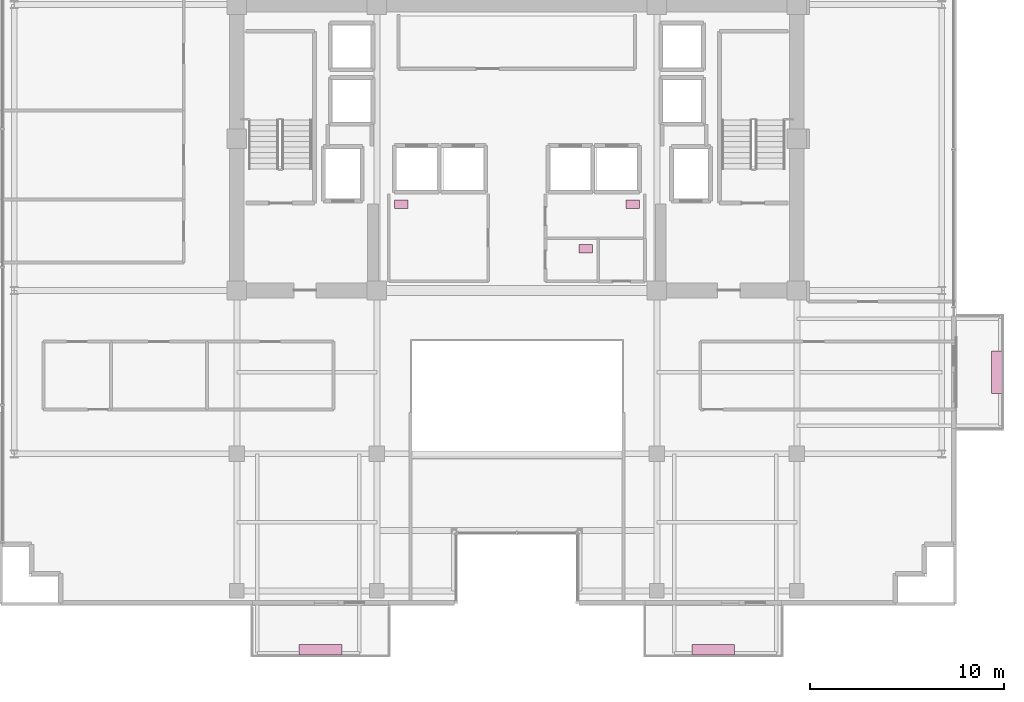
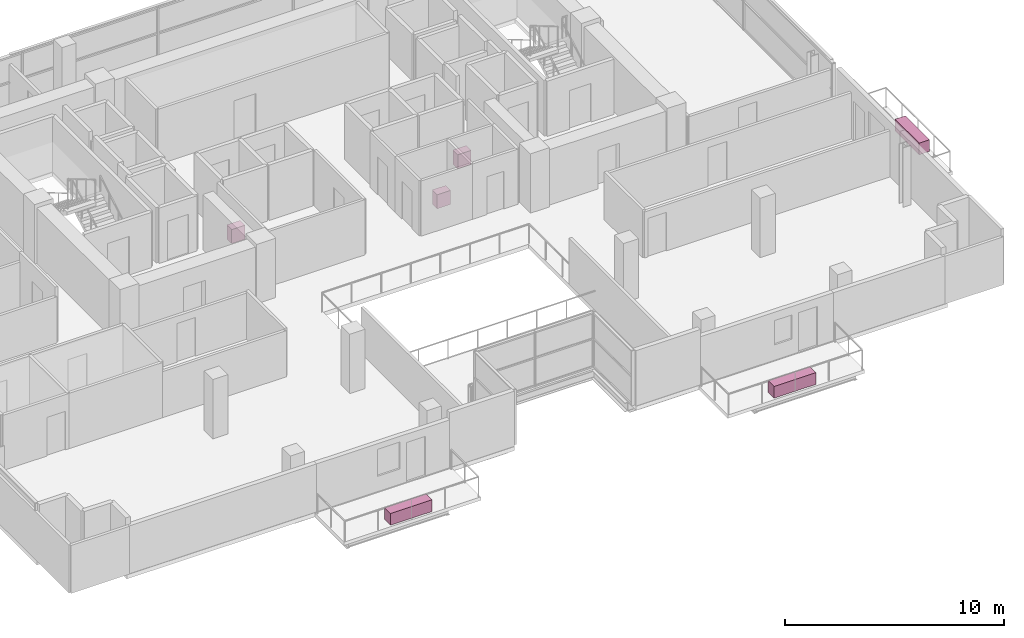
# One storey, part 25 of 25: 6 furnishings.
"""IFC4 building model written with IfcOpenShell, lengths in metres."""

from ifc_helpers import new_model, si_unit, direction, frame, origin, origin_2d, place, context, subcontext, project, spatial, rectangle, extrude, source, transform, mapped, material, type_object, element, save


model = new_model("IFC4")

# Units and contexts
model_context = context("Model", 3, precision=1e-05, world=origin(), true_north=direction((0.0, 1.0)))
body_context = subcontext(model_context, "Body", "Model", "MODEL_VIEW")
ifc_project = project(units=[si_unit("LENGTHUNIT", "METRE"), si_unit("AREAUNIT", "SQUARE_METRE"), si_unit("VOLUMEUNIT", "CUBIC_METRE"), si_unit("PLANEANGLEUNIT", "RADIAN"), si_unit("MASSUNIT", "GRAM", prefix="KILO")], contexts=[model_context])

# Site, building, storey
site_placement = place(None, origin())
site = spatial("IfcSite", under=ifc_project, at=site_placement, CompositionType="ELEMENT")
building_placement = place(site_placement, origin())
building = spatial("IfcBuilding", under=site, at=building_placement, Name="Zarnakvel Exchange Tower", CompositionType="ELEMENT")
storey_placement = place(building_placement, frame((0.0, 0.0, 162.699951171875)))
storey = spatial("IfcBuildingStorey", under=building, at=storey_placement, Name="L45", CompositionType="ELEMENT", Elevation=162.699951171875)

# Furnishings
ifc_material_1 = material(Name="Architectural Bronze Anodised Aluminium", Category="aluminium")
furnishing_element_type_1 = type_object("IfcFurnishingElementType", Name="PLNT-01", material=ifc_material_1)
shared_shape_1 = source(origin(), body_context, "Body", "SweptSolid", [
    extrude(rectangle(XDim=2.199951171875, YDim=0.550048828125, at=origin_2d()), origin(), (0.0, 0.0, 1.0), 0.64990234375),
])
for number, where, z_axis, x_axis, name in (
    (1, (-10.10009765625, -19.669921875, -0.034912109375), (0.0, 0.0, 1.0), (1.0, 0.0, 0.0), "L45 Balcony Greenery Planter BAL-L45-SW"),
    (2, (10.10009765625, -19.669921875, -0.034912109375), (0.0, 0.0, 1.0), (1.0, 0.0, 0.0), "L45 Balcony Greenery Planter BAL-L45-SE"),
    (3, (24.669921875, -5.39990234375, -0.034912109375), (0.0, 0.0, 1.0), (0.0, 1.0, 0.0), "L45 Balcony Greenery Planter BAL-L45-E"),
):
    element("IfcFurnishingElement", number, at=place(storey_placement, frame(where, z_axis=z_axis, x_axis=x_axis)), inside=storey, type_object=furnishing_element_type_1, Name=name, ObjectType="PLANTER", context=body_context, shape_type="MappedRepresentation", body=[
        mapped(shared_shape_1, transform((0.0, 0.0, 0.0), x_axis=(1.0, 0.0, 0.0), y_axis=(0.0, 1.0, 0.0), z_axis=(0.0, 0.0, 1.0), scale=1.0)),
    ])
ifc_material_2 = material(Name="Vitreous China Sanitaryware", Category="ceramic")
furnishing_element_type_2 = type_object("IfcFurnishingElementType", Name="SAN-WC", material=ifc_material_2)
shared_shape_2 = source(origin(), body_context, "Body", "SweptSolid", [
    extrude(rectangle(XDim=0.699951171875, YDim=0.449951171875, at=origin_2d()), origin(), (0.0, 0.0, 1.0), 0.780029296875),
])
for number, where, z_axis, x_axis, name in (
    (4, (-5.949951171875, 3.22998046875, 0.0), (0.0, 0.0, 1.0), (1.0, 0.0, 0.0), "L45 Sanitary Fixture (Male Toilet)"),
    (5, (5.949951171875, 3.22998046875, 0.0), (0.0, 0.0, 1.0), (1.0, 0.0, 0.0), "L45 Sanitary Fixture (Female Toilet)"),
    (6, (3.550048828125, 0.949951171875, 0.0), (0.0, 0.0, 1.0), (1.0, 0.0, 0.0), "L45 Sanitary Fixture (Accessible Toilet)"),
):
    element("IfcFurnishingElement", number, at=place(storey_placement, frame(where, z_axis=z_axis, x_axis=x_axis)), inside=storey, type_object=furnishing_element_type_2, Name=name, ObjectType="SANITARY_FIXTURE", context=body_context, shape_type="MappedRepresentation", body=[
        mapped(shared_shape_2, transform((0.0, 0.0, 0.0), x_axis=(1.0, 0.0, 0.0), y_axis=(0.0, 1.0, 0.0), z_axis=(0.0, 0.0, 1.0), scale=1.0)),
    ])

save(model, "model.ifc")
